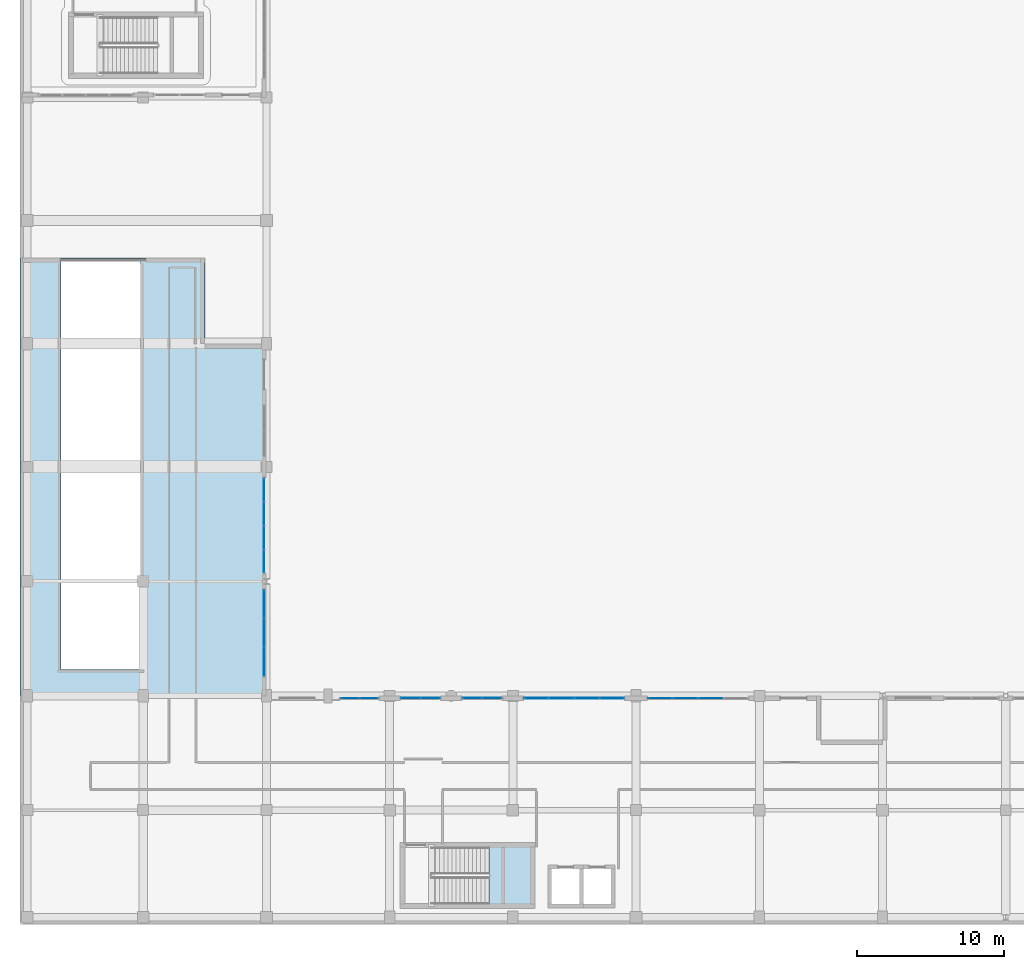
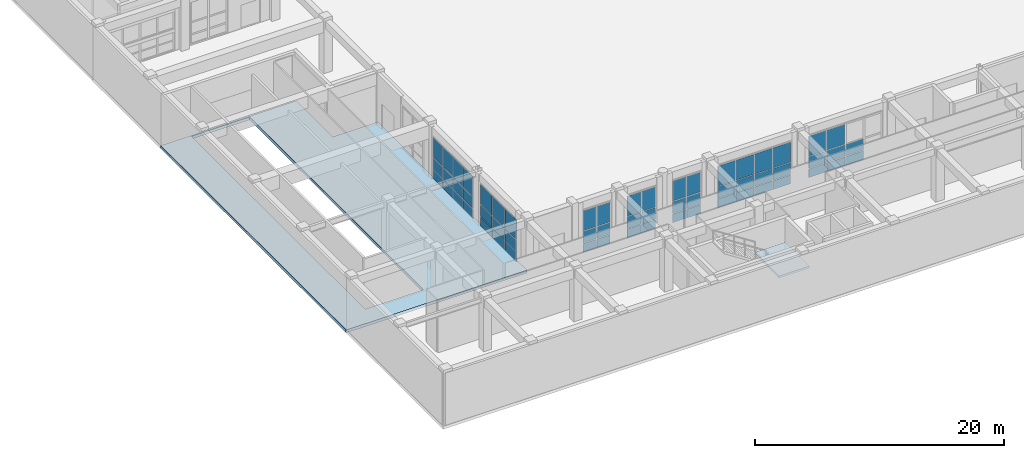
# One storey, part 109 of 148: 59 plates, 2 slabs, 8 elements without a shape of their own.
"""IFC4 building model written with IfcOpenShell, lengths in metres."""

from ifc_helpers import new_model, si_unit, direction, frame, origin, origin_2d, place, context, subcontext, project, spatial, polyline, rectangle, outline, extrude, material, layer, layer_set, type_object, element, aggregate, save


model = new_model("IFC4")

# Units and contexts
model_context = context("Model", 3, precision=1e-05, world=origin(), true_north=direction((0.0, 1.0)))
body_context = subcontext(model_context, "Body", "Model", "MODEL_VIEW")
ifc_project = project(units=[si_unit("LENGTHUNIT", "METRE"), si_unit("AREAUNIT", "SQUARE_METRE"), si_unit("VOLUMEUNIT", "CUBIC_METRE"), si_unit("PLANEANGLEUNIT", "RADIAN"), si_unit("MASSUNIT", "GRAM", prefix="KILO")], contexts=[model_context])

# Site, building, storey
site_placement = place(None, origin())
site = spatial("IfcSite", under=ifc_project, at=site_placement, CompositionType="ELEMENT")
building_placement = place(site_placement, origin())
building = spatial("IfcBuilding", under=site, at=building_placement, Name="Quendrovan Civic Courthouse", CompositionType="ELEMENT")
storey_placement = place(building_placement, origin())
storey = spatial("IfcBuildingStorey", under=building, at=storey_placement, Name="L01", CompositionType="ELEMENT", Elevation=0.0)

# Curtain wall, plates
ifc_material_1 = material(Name="Bronze anodised aluminium and low-E glass", Category="aluminium")
ifc_layer_1 = layer(ifc_material_1, 0.179931640625, Name="Bronze anodised aluminium and low-E glass")
ifc_layer_set_1 = layer_set([ifc_layer_1], Name="Bronze anodised aluminium and low-E glass")
curtain_wall_type_1 = type_object("IfcCurtainWallType", Name="CW-U26x42", PredefinedType="USERDEFINED", material=ifc_layer_set_1)
curtain_wall_1_placement = place(storey_placement, origin())
curtain_wall_1 = element("IfcCurtainWall", 1, at=curtain_wall_1_placement, inside=storey, type_object=curtain_wall_type_1, Name="L01 Unitised Hurricane Curtain Wall CW-004", ObjectType="UNITISED CURTAIN WALL", PredefinedType="USERDEFINED")
ifc_material_2 = material(Name="Laminated hurricane-impact low-E glass", Category="glass")
ifc_layer_2 = layer(ifc_material_2, 0.028076171875, Name="Laminated hurricane-impact low-E glass")
ifc_layer_set_2 = layer_set([ifc_layer_2], Name="Laminated hurricane-impact low-E glass")
plate_type_1 = type_object("IfcPlateType", Name="CW-PNL-1", PredefinedType="CURTAIN_PANEL", material=ifc_layer_set_2)
plate_1_placement = place(storey_placement, frame((22.5048828125, 15.43505859375, 0.06982421875), z_axis=(0.0, 0.0, 1.0), x_axis=(1.0, 0.0, 0.0)))
plate_1 = element("IfcPlate", 2, at=plate_1_placement, type_object=plate_type_1, Name="CW-004 panel 1.1", PredefinedType="CURTAIN_PANEL", context=body_context, shape_type="SweptSolid", body=[
    extrude(rectangle(XDim=1.219970703125, YDim=0.028076171875, at=origin_2d()), origin(), (0.0, 0.0, 1.0), 0.844970703125),
])
plate_2_placement = place(storey_placement, frame((22.5048828125, 15.43505859375, 0.985107421875), z_axis=(0.0, 0.0, 1.0), x_axis=(1.0, 0.0, 0.0)))
plate_2 = element("IfcPlate", 3, at=plate_2_placement, type_object=plate_type_1, Name="CW-004 panel 1.2", PredefinedType="CURTAIN_PANEL", context=body_context, shape_type="SweptSolid", body=[
    extrude(rectangle(XDim=1.219970703125, YDim=0.028076171875, at=origin_2d()), origin(), (0.0, 0.0, 1.0), 1.1298828125),
])
plate_3_placement = place(storey_placement, frame((22.5048828125, 15.43505859375, 2.18505859375), z_axis=(0.0, 0.0, 1.0), x_axis=(1.0, 0.0, 0.0)))
plate_3 = element("IfcPlate", 4, at=plate_3_placement, type_object=plate_type_1, Name="CW-004 panel 1.3", PredefinedType="CURTAIN_PANEL", context=body_context, shape_type="SweptSolid", body=[
    extrude(rectangle(XDim=1.219970703125, YDim=0.028076171875, at=origin_2d()), origin(), (0.0, 0.0, 1.0), 1.945068359375),
])
plate_4_placement = place(storey_placement, frame((23.794921875, 15.43505859375, 0.06982421875), z_axis=(0.0, 0.0, 1.0), x_axis=(1.0, 0.0, 0.0)))
plate_4 = element("IfcPlate", 5, at=plate_4_placement, type_object=plate_type_1, Name="CW-004 panel 2.1", PredefinedType="CURTAIN_PANEL", context=body_context, shape_type="SweptSolid", body=[
    extrude(rectangle(XDim=1.219970703125, YDim=0.028076171875, at=origin_2d()), origin(), (0.0, 0.0, 1.0), 0.844970703125),
])
plate_5_placement = place(storey_placement, frame((23.794921875, 15.43505859375, 0.985107421875), z_axis=(0.0, 0.0, 1.0), x_axis=(1.0, 0.0, 0.0)))
plate_5 = element("IfcPlate", 6, at=plate_5_placement, type_object=plate_type_1, Name="CW-004 panel 2.2", PredefinedType="CURTAIN_PANEL", context=body_context, shape_type="SweptSolid", body=[
    extrude(rectangle(XDim=1.219970703125, YDim=0.028076171875, at=origin_2d()), origin(), (0.0, 0.0, 1.0), 1.1298828125),
])
plate_6_placement = place(storey_placement, frame((23.794921875, 15.43505859375, 2.18505859375), z_axis=(0.0, 0.0, 1.0), x_axis=(1.0, 0.0, 0.0)))
plate_6 = element("IfcPlate", 7, at=plate_6_placement, type_object=plate_type_1, Name="CW-004 panel 2.3", PredefinedType="CURTAIN_PANEL", context=body_context, shape_type="SweptSolid", body=[
    extrude(rectangle(XDim=1.219970703125, YDim=0.028076171875, at=origin_2d()), origin(), (0.0, 0.0, 1.0), 1.945068359375),
])
aggregate(curtain_wall_1, [plate_1, plate_2, plate_3, plate_4, plate_5, plate_6])

ifc_layer_3 = layer(ifc_material_1, 0.179931640625, Name="Bronze anodised aluminium and low-E glass")
ifc_layer_set_3 = layer_set([ifc_layer_3], Name="Bronze anodised aluminium and low-E glass")
curtain_wall_type_2 = type_object("IfcCurtainWallType", Name="CW-U69x42", PredefinedType="USERDEFINED", material=ifc_layer_set_3)
curtain_wall_2_placement = place(storey_placement, origin())
curtain_wall_2 = element("IfcCurtainWall", 8, at=curtain_wall_2_placement, inside=storey, type_object=curtain_wall_type_2, Name="L01 Unitised Hurricane Curtain Wall CW-008", ObjectType="UNITISED CURTAIN WALL", PredefinedType="USERDEFINED")
plate_7_placement = place(storey_placement, frame((43.655029296875, 15.43505859375, 0.06982421875), z_axis=(0.0, 0.0, 1.0), x_axis=(1.0, 0.0, 0.0)))
plate_7 = element("IfcPlate", 9, at=plate_7_placement, type_object=plate_type_1, Name="CW-008 panel 1.1", PredefinedType="CURTAIN_PANEL", context=body_context, shape_type="SweptSolid", body=[
    extrude(rectangle(XDim=1.6201171875, YDim=0.028076171875, at=origin_2d()), origin(), (0.0, 0.0, 1.0), 0.844970703125),
])
plate_8_placement = place(storey_placement, frame((43.655029296875, 15.43505859375, 0.985107421875), z_axis=(0.0, 0.0, 1.0), x_axis=(1.0, 0.0, 0.0)))
plate_8 = element("IfcPlate", 10, at=plate_8_placement, type_object=plate_type_1, Name="CW-008 panel 1.2", PredefinedType="CURTAIN_PANEL", context=body_context, shape_type="SweptSolid", body=[
    extrude(rectangle(XDim=1.6201171875, YDim=0.028076171875, at=origin_2d()), origin(), (0.0, 0.0, 1.0), 1.1298828125),
])
plate_9_placement = place(storey_placement, frame((43.655029296875, 15.43505859375, 2.18505859375), z_axis=(0.0, 0.0, 1.0), x_axis=(1.0, 0.0, 0.0)))
plate_9 = element("IfcPlate", 11, at=plate_9_placement, type_object=plate_type_1, Name="CW-008 panel 1.3", PredefinedType="CURTAIN_PANEL", context=body_context, shape_type="SweptSolid", body=[
    extrude(rectangle(XDim=1.6201171875, YDim=0.028076171875, at=origin_2d()), origin(), (0.0, 0.0, 1.0), 1.945068359375),
])
plate_10_placement = place(storey_placement, frame((45.362548828125, 15.43505859375, 0.06982421875), z_axis=(0.0, 0.0, 1.0), x_axis=(1.0, 0.0, 0.0)))
plate_10 = element("IfcPlate", 12, at=plate_10_placement, type_object=plate_type_1, Name="CW-008 panel 2.1", PredefinedType="CURTAIN_PANEL", context=body_context, shape_type="SweptSolid", body=[
    extrude(rectangle(XDim=1.655029296875, YDim=0.028076171875, at=origin_2d()), origin(), (0.0, 0.0, 1.0), 0.844970703125),
])
plate_11_placement = place(storey_placement, frame((45.362548828125, 15.43505859375, 0.985107421875), z_axis=(0.0, 0.0, 1.0), x_axis=(1.0, 0.0, 0.0)))
plate_11 = element("IfcPlate", 13, at=plate_11_placement, type_object=plate_type_1, Name="CW-008 panel 2.2", PredefinedType="CURTAIN_PANEL", context=body_context, shape_type="SweptSolid", body=[
    extrude(rectangle(XDim=1.655029296875, YDim=0.028076171875, at=origin_2d()), origin(), (0.0, 0.0, 1.0), 1.1298828125),
])
plate_12_placement = place(storey_placement, frame((45.362548828125, 15.43505859375, 2.18505859375), z_axis=(0.0, 0.0, 1.0), x_axis=(1.0, 0.0, 0.0)))
plate_12 = element("IfcPlate", 14, at=plate_12_placement, type_object=plate_type_1, Name="CW-008 panel 2.3", PredefinedType="CURTAIN_PANEL", context=body_context, shape_type="SweptSolid", body=[
    extrude(rectangle(XDim=1.655029296875, YDim=0.028076171875, at=origin_2d()), origin(), (0.0, 0.0, 1.0), 1.945068359375),
])
plate_13_placement = place(storey_placement, frame((47.08740234375, 15.43505859375, 0.06982421875), z_axis=(0.0, 0.0, 1.0), x_axis=(1.0, 0.0, 0.0)))
plate_13 = element("IfcPlate", 15, at=plate_13_placement, type_object=plate_type_1, Name="CW-008 panel 3.1", PredefinedType="CURTAIN_PANEL", context=body_context, shape_type="SweptSolid", body=[
    extrude(rectangle(XDim=1.655029296875, YDim=0.028076171875, at=origin_2d()), origin(), (0.0, 0.0, 1.0), 0.844970703125),
])
plate_14_placement = place(storey_placement, frame((47.08740234375, 15.43505859375, 0.985107421875), z_axis=(0.0, 0.0, 1.0), x_axis=(1.0, 0.0, 0.0)))
plate_14 = element("IfcPlate", 16, at=plate_14_placement, type_object=plate_type_1, Name="CW-008 panel 3.2", PredefinedType="CURTAIN_PANEL", context=body_context, shape_type="SweptSolid", body=[
    extrude(rectangle(XDim=1.655029296875, YDim=0.028076171875, at=origin_2d()), origin(), (0.0, 0.0, 1.0), 1.1298828125),
])
aggregate(curtain_wall_2, [plate_7, plate_8, plate_9, plate_10, plate_11, plate_12, plate_13, plate_14])

ifc_layer_4 = layer(ifc_material_1, 0.179931640625, Name="Bronze anodised aluminium and low-E glass")
ifc_layer_set_4 = layer_set([ifc_layer_4], Name="Bronze anodised aluminium and low-E glass")
curtain_wall_type_3 = type_object("IfcCurtainWallType", Name="CW-U28x42", PredefinedType="USERDEFINED", material=ifc_layer_set_4)
curtain_wall_3_placement = place(storey_placement, origin())
curtain_wall_3 = element("IfcCurtainWall", 17, at=curtain_wall_3_placement, inside=storey, type_object=curtain_wall_type_3, Name="L01 Unitised Hurricane Curtain Wall CW-005", ObjectType="UNITISED CURTAIN WALL", PredefinedType="USERDEFINED")
ifc_layer_5 = layer(ifc_material_2, 0.031982421875, Name="Laminated hurricane-impact low-E glass")
ifc_layer_set_5 = layer_set([ifc_layer_5], Name="Laminated hurricane-impact low-E glass")
plate_type_2 = type_object("IfcPlateType", Name="CW-PNL-2", PredefinedType="CURTAIN_PANEL", material=ifc_layer_set_5)
plate_15_placement = place(storey_placement, frame((26.628662109375, 15.43505859375, 0.06494140625), z_axis=(0.0, 0.0, 1.0), x_axis=(1.0, 0.0, 0.0)))
plate_15 = element("IfcPlate", 18, at=plate_15_placement, type_object=plate_type_2, Name="CW-005 panel 1.1", PredefinedType="CURTAIN_PANEL", context=body_context, shape_type="SweptSolid", body=[
    extrude(rectangle(XDim=1.277587890625, YDim=0.031982421875, at=origin_2d()), origin(), (0.0, 0.0, 1.0), 0.8525390625),
])
plate_16_placement = place(storey_placement, frame((26.628662109375, 15.43505859375, 0.982421875), z_axis=(0.0, 0.0, 1.0), x_axis=(1.0, 0.0, 0.0)))
plate_16 = element("IfcPlate", 19, at=plate_16_placement, type_object=plate_type_2, Name="CW-005 panel 1.2", PredefinedType="CURTAIN_PANEL", context=body_context, shape_type="SweptSolid", body=[
    extrude(rectangle(XDim=1.277587890625, YDim=0.031982421875, at=origin_2d()), origin(), (0.0, 0.0, 1.0), 1.135009765625),
])
plate_17_placement = place(storey_placement, frame((26.628662109375, 15.43505859375, 2.1826171875), z_axis=(0.0, 0.0, 1.0), x_axis=(1.0, 0.0, 0.0)))
plate_17 = element("IfcPlate", 20, at=plate_17_placement, type_object=plate_type_2, Name="CW-005 panel 1.3", PredefinedType="CURTAIN_PANEL", context=body_context, shape_type="SweptSolid", body=[
    extrude(rectangle(XDim=1.277587890625, YDim=0.031982421875, at=origin_2d()), origin(), (0.0, 0.0, 1.0), 1.952392578125),
])
plate_18_placement = place(storey_placement, frame((27.97119140625, 15.43505859375, 0.06494140625), z_axis=(0.0, 0.0, 1.0), x_axis=(1.0, 0.0, 0.0)))
plate_18 = element("IfcPlate", 21, at=plate_18_placement, type_object=plate_type_2, Name="CW-005 panel 2.1", PredefinedType="CURTAIN_PANEL", context=body_context, shape_type="SweptSolid", body=[
    extrude(rectangle(XDim=1.277587890625, YDim=0.031982421875, at=origin_2d()), origin(), (0.0, 0.0, 1.0), 0.8525390625),
])
plate_19_placement = place(storey_placement, frame((27.97119140625, 15.43505859375, 0.982421875), z_axis=(0.0, 0.0, 1.0), x_axis=(1.0, 0.0, 0.0)))
plate_19 = element("IfcPlate", 22, at=plate_19_placement, type_object=plate_type_2, Name="CW-005 panel 2.2", PredefinedType="CURTAIN_PANEL", context=body_context, shape_type="SweptSolid", body=[
    extrude(rectangle(XDim=1.277587890625, YDim=0.031982421875, at=origin_2d()), origin(), (0.0, 0.0, 1.0), 1.135009765625),
])
plate_20_placement = place(storey_placement, frame((27.97119140625, 15.43505859375, 2.1826171875), z_axis=(0.0, 0.0, 1.0), x_axis=(1.0, 0.0, 0.0)))
plate_20 = element("IfcPlate", 23, at=plate_20_placement, type_object=plate_type_2, Name="CW-005 panel 2.3", PredefinedType="CURTAIN_PANEL", context=body_context, shape_type="SweptSolid", body=[
    extrude(rectangle(XDim=1.277587890625, YDim=0.031982421875, at=origin_2d()), origin(), (0.0, 0.0, 1.0), 1.952392578125),
])
aggregate(curtain_wall_3, [plate_15, plate_16, plate_17, plate_18, plate_19, plate_20])

ifc_layer_6 = layer(ifc_material_1, 0.179931640625, Name="Bronze anodised aluminium and low-E glass")
ifc_layer_set_6 = layer_set([ifc_layer_6], Name="Bronze anodised aluminium and low-E glass")
curtain_wall_type_4 = type_object("IfcCurtainWallType", Name="CW-U65x42", PredefinedType="USERDEFINED", material=ifc_layer_set_6)
curtain_wall_4_placement = place(storey_placement, origin())
curtain_wall_4 = element("IfcCurtainWall", 24, at=curtain_wall_4_placement, inside=storey, type_object=curtain_wall_type_4, Name="L01 Unitised Hurricane Curtain Wall CW-002", ObjectType="UNITISED CURTAIN WALL", PredefinedType="USERDEFINED")
ifc_layer_7 = layer(ifc_material_2, 0.035888671875, Name="Laminated hurricane-impact low-E glass")
ifc_layer_set_7 = layer_set([ifc_layer_7], Name="Laminated hurricane-impact low-E glass")
plate_type_3 = type_object("IfcPlateType", Name="CW-PNL-3", PredefinedType="CURTAIN_PANEL", material=ifc_layer_set_7)
plate_21_placement = place(storey_placement, frame((16.635009765625, 29.64013671875, 0.06982421875), z_axis=(0.0, 0.0, 1.0), x_axis=(0.0, -1.0, 0.0)))
plate_21 = element("IfcPlate", 25, at=plate_21_placement, type_object=plate_type_3, Name="CW-002 panel 1.1", PredefinedType="CURTAIN_PANEL", context=body_context, shape_type="SweptSolid", body=[
    extrude(rectangle(XDim=1.529541015625, YDim=0.035888671875, at=origin_2d()), origin(), (0.0, 0.0, 1.0), 0.844970703125),
])
plate_22_placement = place(storey_placement, frame((16.635009765625, 29.64013671875, 0.985107421875), z_axis=(0.0, 0.0, 1.0), x_axis=(0.0, -1.0, 0.0)))
plate_22 = element("IfcPlate", 26, at=plate_22_placement, type_object=plate_type_3, Name="CW-002 panel 1.2", PredefinedType="CURTAIN_PANEL", context=body_context, shape_type="SweptSolid", body=[
    extrude(rectangle(XDim=1.529541015625, YDim=0.035888671875, at=origin_2d()), origin(), (0.0, 0.0, 1.0), 1.1298828125),
])
plate_23_placement = place(storey_placement, frame((16.635009765625, 29.64013671875, 2.18505859375), z_axis=(0.0, 0.0, 1.0), x_axis=(0.0, -1.0, 0.0)))
plate_23 = element("IfcPlate", 27, at=plate_23_placement, type_object=plate_type_3, Name="CW-002 panel 1.3", PredefinedType="CURTAIN_PANEL", context=body_context, shape_type="SweptSolid", body=[
    extrude(rectangle(XDim=1.529541015625, YDim=0.035888671875, at=origin_2d()), origin(), (0.0, 0.0, 1.0), 1.945068359375),
])
plate_24_placement = place(storey_placement, frame((16.635009765625, 28.023193359375, 0.06982421875), z_axis=(0.0, 0.0, 1.0), x_axis=(0.0, -1.0, 0.0)))
plate_24 = element("IfcPlate", 28, at=plate_24_placement, type_object=plate_type_3, Name="CW-002 panel 2.1", PredefinedType="CURTAIN_PANEL", context=body_context, shape_type="SweptSolid", body=[
    extrude(rectangle(XDim=1.564453125, YDim=0.035888671875, at=origin_2d()), origin(), (0.0, 0.0, 1.0), 0.844970703125),
])
plate_25_placement = place(storey_placement, frame((16.635009765625, 28.023193359375, 0.985107421875), z_axis=(0.0, 0.0, 1.0), x_axis=(0.0, -1.0, 0.0)))
plate_25 = element("IfcPlate", 29, at=plate_25_placement, type_object=plate_type_3, Name="CW-002 panel 2.2", PredefinedType="CURTAIN_PANEL", context=body_context, shape_type="SweptSolid", body=[
    extrude(rectangle(XDim=1.564453125, YDim=0.035888671875, at=origin_2d()), origin(), (0.0, 0.0, 1.0), 1.1298828125),
])
plate_26_placement = place(storey_placement, frame((16.635009765625, 28.023193359375, 2.18505859375), z_axis=(0.0, 0.0, 1.0), x_axis=(0.0, -1.0, 0.0)))
plate_26 = element("IfcPlate", 30, at=plate_26_placement, type_object=plate_type_3, Name="CW-002 panel 2.3", PredefinedType="CURTAIN_PANEL", context=body_context, shape_type="SweptSolid", body=[
    extrude(rectangle(XDim=1.564453125, YDim=0.035888671875, at=origin_2d()), origin(), (0.0, 0.0, 1.0), 1.945068359375),
])
plate_27_placement = place(storey_placement, frame((16.635009765625, 26.388671875, 0.06982421875), z_axis=(0.0, 0.0, 1.0), x_axis=(0.0, -1.0, 0.0)))
plate_27 = element("IfcPlate", 31, at=plate_27_placement, type_object=plate_type_3, Name="CW-002 panel 3.1", PredefinedType="CURTAIN_PANEL", context=body_context, shape_type="SweptSolid", body=[
    extrude(rectangle(XDim=1.564453125, YDim=0.035888671875, at=origin_2d()), origin(), (0.0, 0.0, 1.0), 0.844970703125),
])
plate_28_placement = place(storey_placement, frame((16.635009765625, 26.388671875, 0.985107421875), z_axis=(0.0, 0.0, 1.0), x_axis=(0.0, -1.0, 0.0)))
plate_28 = element("IfcPlate", 32, at=plate_28_placement, type_object=plate_type_3, Name="CW-002 panel 3.2", PredefinedType="CURTAIN_PANEL", context=body_context, shape_type="SweptSolid", body=[
    extrude(rectangle(XDim=1.564453125, YDim=0.035888671875, at=origin_2d()), origin(), (0.0, 0.0, 1.0), 1.1298828125),
])
plate_29_placement = place(storey_placement, frame((16.635009765625, 26.388671875, 2.18505859375), z_axis=(0.0, 0.0, 1.0), x_axis=(0.0, -1.0, 0.0)))
plate_29 = element("IfcPlate", 33, at=plate_29_placement, type_object=plate_type_3, Name="CW-002 panel 3.3", PredefinedType="CURTAIN_PANEL", context=body_context, shape_type="SweptSolid", body=[
    extrude(rectangle(XDim=1.564453125, YDim=0.035888671875, at=origin_2d()), origin(), (0.0, 0.0, 1.0), 1.945068359375),
])
plate_30_placement = place(storey_placement, frame((16.635009765625, 24.771728515625, 0.06982421875), z_axis=(0.0, 0.0, 1.0), x_axis=(0.0, -1.0, 0.0)))
plate_30 = element("IfcPlate", 34, at=plate_30_placement, type_object=plate_type_3, Name="CW-002 panel 4.1", PredefinedType="CURTAIN_PANEL", context=body_context, shape_type="SweptSolid", body=[
    extrude(rectangle(XDim=1.529541015625, YDim=0.035888671875, at=origin_2d()), origin(), (0.0, 0.0, 1.0), 0.844970703125),
])
plate_31_placement = place(storey_placement, frame((16.635009765625, 24.771728515625, 0.985107421875), z_axis=(0.0, 0.0, 1.0), x_axis=(0.0, -1.0, 0.0)))
plate_31 = element("IfcPlate", 35, at=plate_31_placement, type_object=plate_type_3, Name="CW-002 panel 4.2", PredefinedType="CURTAIN_PANEL", context=body_context, shape_type="SweptSolid", body=[
    extrude(rectangle(XDim=1.529541015625, YDim=0.035888671875, at=origin_2d()), origin(), (0.0, 0.0, 1.0), 1.1298828125),
])
plate_32_placement = place(storey_placement, frame((16.635009765625, 24.771728515625, 2.18505859375), z_axis=(0.0, 0.0, 1.0), x_axis=(0.0, -1.0, 0.0)))
plate_32 = element("IfcPlate", 36, at=plate_32_placement, type_object=plate_type_3, Name="CW-002 panel 4.3", PredefinedType="CURTAIN_PANEL", context=body_context, shape_type="SweptSolid", body=[
    extrude(rectangle(XDim=1.529541015625, YDim=0.035888671875, at=origin_2d()), origin(), (0.0, 0.0, 1.0), 1.945068359375),
])
aggregate(curtain_wall_4, [plate_21, plate_22, plate_23, plate_24, plate_25, plate_26, plate_27, plate_28, plate_29, plate_30, plate_31, plate_32])

curtain_wall_5_placement = place(storey_placement, origin())
curtain_wall_5 = element("IfcCurtainWall", 37, at=curtain_wall_5_placement, inside=storey, type_object=curtain_wall_type_3, Name="L01 Unitised Hurricane Curtain Wall CW-006", ObjectType="UNITISED CURTAIN WALL", PredefinedType="USERDEFINED")
plate_33_placement = place(storey_placement, frame((30.830078125, 15.43505859375, 0.06982421875), z_axis=(0.0, 0.0, 1.0), x_axis=(1.0, 0.0, 0.0)))
plate_33 = element("IfcPlate", 38, at=plate_33_placement, type_object=plate_type_3, Name="CW-006 panel 1.1", PredefinedType="CURTAIN_PANEL", context=body_context, shape_type="SweptSolid", body=[
    extrude(rectangle(XDim=1.27001953125, YDim=0.035888671875, at=origin_2d()), origin(), (0.0, 0.0, 1.0), 0.844970703125),
])
plate_34_placement = place(storey_placement, frame((30.830078125, 15.43505859375, 0.985107421875), z_axis=(0.0, 0.0, 1.0), x_axis=(1.0, 0.0, 0.0)))
plate_34 = element("IfcPlate", 39, at=plate_34_placement, type_object=plate_type_3, Name="CW-006 panel 1.2", PredefinedType="CURTAIN_PANEL", context=body_context, shape_type="SweptSolid", body=[
    extrude(rectangle(XDim=1.27001953125, YDim=0.035888671875, at=origin_2d()), origin(), (0.0, 0.0, 1.0), 1.1298828125),
])
plate_35_placement = place(storey_placement, frame((30.830078125, 15.43505859375, 2.18505859375), z_axis=(0.0, 0.0, 1.0), x_axis=(1.0, 0.0, 0.0)))
plate_35 = element("IfcPlate", 40, at=plate_35_placement, type_object=plate_type_3, Name="CW-006 panel 1.3", PredefinedType="CURTAIN_PANEL", context=body_context, shape_type="SweptSolid", body=[
    extrude(rectangle(XDim=1.27001953125, YDim=0.035888671875, at=origin_2d()), origin(), (0.0, 0.0, 1.0), 1.945068359375),
])
plate_36_placement = place(storey_placement, frame((32.169921875, 15.43505859375, 0.06982421875), z_axis=(0.0, 0.0, 1.0), x_axis=(1.0, 0.0, 0.0)))
plate_36 = element("IfcPlate", 41, at=plate_36_placement, type_object=plate_type_3, Name="CW-006 panel 2.1", PredefinedType="CURTAIN_PANEL", context=body_context, shape_type="SweptSolid", body=[
    extrude(rectangle(XDim=1.27001953125, YDim=0.035888671875, at=origin_2d()), origin(), (0.0, 0.0, 1.0), 0.844970703125),
])
plate_37_placement = place(storey_placement, frame((32.169921875, 15.43505859375, 0.985107421875), z_axis=(0.0, 0.0, 1.0), x_axis=(1.0, 0.0, 0.0)))
plate_37 = element("IfcPlate", 42, at=plate_37_placement, type_object=plate_type_3, Name="CW-006 panel 2.2", PredefinedType="CURTAIN_PANEL", context=body_context, shape_type="SweptSolid", body=[
    extrude(rectangle(XDim=1.27001953125, YDim=0.035888671875, at=origin_2d()), origin(), (0.0, 0.0, 1.0), 1.1298828125),
])
plate_38_placement = place(storey_placement, frame((32.169921875, 15.43505859375, 2.18505859375), z_axis=(0.0, 0.0, 1.0), x_axis=(1.0, 0.0, 0.0)))
plate_38 = element("IfcPlate", 43, at=plate_38_placement, type_object=plate_type_3, Name="CW-006 panel 2.3", PredefinedType="CURTAIN_PANEL", context=body_context, shape_type="SweptSolid", body=[
    extrude(rectangle(XDim=1.27001953125, YDim=0.035888671875, at=origin_2d()), origin(), (0.0, 0.0, 1.0), 1.945068359375),
])
aggregate(curtain_wall_5, [plate_33, plate_34, plate_35, plate_36, plate_37, plate_38])

ifc_layer_8 = layer(ifc_material_1, 0.179931640625, Name="Bronze anodised aluminium and low-E glass")
ifc_layer_set_8 = layer_set([ifc_layer_8], Name="Bronze anodised aluminium and low-E glass")
curtain_wall_type_5 = type_object("IfcCurtainWallType", Name="CW-U60x42", PredefinedType="USERDEFINED", material=ifc_layer_set_8)
curtain_wall_6_placement = place(storey_placement, origin())
curtain_wall_6 = element("IfcCurtainWall", 44, at=curtain_wall_6_placement, inside=storey, type_object=curtain_wall_type_5, Name="L01 Unitised Hurricane Curtain Wall CW-003", ObjectType="UNITISED CURTAIN WALL", PredefinedType="USERDEFINED")
ifc_layer_9 = layer(ifc_material_2, 0.0419921875, Name="Laminated hurricane-impact low-E glass")
ifc_layer_set_9 = layer_set([ifc_layer_9], Name="Laminated hurricane-impact low-E glass")
plate_type_4 = type_object("IfcPlateType", Name="CW-PNL-4", PredefinedType="CURTAIN_PANEL", material=ifc_layer_set_9)
plate_39_placement = place(storey_placement, frame((16.635009765625, 21.85302734375, 0.06494140625), z_axis=(0.0, 0.0, 1.0), x_axis=(0.0, -1.0, 0.0)))
plate_39 = element("IfcPlate", 45, at=plate_39_placement, type_object=plate_type_4, Name="CW-003 panel 1.1", PredefinedType="CURTAIN_PANEL", context=body_context, shape_type="SweptSolid", body=[
    extrude(rectangle(XDim=1.89013671875, YDim=0.0419921875, at=origin_2d()), origin(), (0.0, 0.0, 1.0), 0.8525390625),
])
plate_40_placement = place(storey_placement, frame((16.635009765625, 21.85302734375, 0.982421875), z_axis=(0.0, 0.0, 1.0), x_axis=(0.0, -1.0, 0.0)))
plate_40 = element("IfcPlate", 46, at=plate_40_placement, type_object=plate_type_4, Name="CW-003 panel 1.2", PredefinedType="CURTAIN_PANEL", context=body_context, shape_type="SweptSolid", body=[
    extrude(rectangle(XDim=1.89013671875, YDim=0.0419921875, at=origin_2d()), origin(), (0.0, 0.0, 1.0), 1.135009765625),
])
plate_41_placement = place(storey_placement, frame((16.635009765625, 21.85302734375, 2.1826171875), z_axis=(0.0, 0.0, 1.0), x_axis=(0.0, -1.0, 0.0)))
plate_41 = element("IfcPlate", 47, at=plate_41_placement, type_object=plate_type_4, Name="CW-003 panel 1.3", PredefinedType="CURTAIN_PANEL", context=body_context, shape_type="SweptSolid", body=[
    extrude(rectangle(XDim=1.89013671875, YDim=0.0419921875, at=origin_2d()), origin(), (0.0, 0.0, 1.0), 1.952392578125),
])
plate_42_placement = place(storey_placement, frame((16.635009765625, 19.881591796875, 0.06494140625), z_axis=(0.0, 0.0, 1.0), x_axis=(0.0, -1.0, 0.0)))
plate_42 = element("IfcPlate", 48, at=plate_42_placement, type_object=plate_type_4, Name="CW-003 panel 2.1", PredefinedType="CURTAIN_PANEL", context=body_context, shape_type="SweptSolid", body=[
    extrude(rectangle(XDim=1.922607421875, YDim=0.0419921875, at=origin_2d()), origin(), (0.0, 0.0, 1.0), 0.8525390625),
])
plate_43_placement = place(storey_placement, frame((16.635009765625, 19.881591796875, 0.982421875), z_axis=(0.0, 0.0, 1.0), x_axis=(0.0, -1.0, 0.0)))
plate_43 = element("IfcPlate", 49, at=plate_43_placement, type_object=plate_type_4, Name="CW-003 panel 2.2", PredefinedType="CURTAIN_PANEL", context=body_context, shape_type="SweptSolid", body=[
    extrude(rectangle(XDim=1.922607421875, YDim=0.0419921875, at=origin_2d()), origin(), (0.0, 0.0, 1.0), 1.135009765625),
])
plate_44_placement = place(storey_placement, frame((16.635009765625, 19.881591796875, 2.1826171875), z_axis=(0.0, 0.0, 1.0), x_axis=(0.0, -1.0, 0.0)))
plate_44 = element("IfcPlate", 50, at=plate_44_placement, type_object=plate_type_4, Name="CW-003 panel 2.3", PredefinedType="CURTAIN_PANEL", context=body_context, shape_type="SweptSolid", body=[
    extrude(rectangle(XDim=1.922607421875, YDim=0.0419921875, at=origin_2d()), origin(), (0.0, 0.0, 1.0), 1.952392578125),
])
plate_45_placement = place(storey_placement, frame((16.635009765625, 17.91015625, 0.06494140625), z_axis=(0.0, 0.0, 1.0), x_axis=(0.0, -1.0, 0.0)))
plate_45 = element("IfcPlate", 51, at=plate_45_placement, type_object=plate_type_4, Name="CW-003 panel 3.1", PredefinedType="CURTAIN_PANEL", context=body_context, shape_type="SweptSolid", body=[
    extrude(rectangle(XDim=1.89013671875, YDim=0.0419921875, at=origin_2d()), origin(), (0.0, 0.0, 1.0), 0.8525390625),
])
plate_46_placement = place(storey_placement, frame((16.635009765625, 17.91015625, 0.982421875), z_axis=(0.0, 0.0, 1.0), x_axis=(0.0, -1.0, 0.0)))
plate_46 = element("IfcPlate", 52, at=plate_46_placement, type_object=plate_type_4, Name="CW-003 panel 3.2", PredefinedType="CURTAIN_PANEL", context=body_context, shape_type="SweptSolid", body=[
    extrude(rectangle(XDim=1.89013671875, YDim=0.0419921875, at=origin_2d()), origin(), (0.0, 0.0, 1.0), 1.135009765625),
])
plate_47_placement = place(storey_placement, frame((16.635009765625, 17.91015625, 2.1826171875), z_axis=(0.0, 0.0, 1.0), x_axis=(0.0, -1.0, 0.0)))
plate_47 = element("IfcPlate", 53, at=plate_47_placement, type_object=plate_type_4, Name="CW-003 panel 3.3", PredefinedType="CURTAIN_PANEL", context=body_context, shape_type="SweptSolid", body=[
    extrude(rectangle(XDim=1.89013671875, YDim=0.0419921875, at=origin_2d()), origin(), (0.0, 0.0, 1.0), 1.952392578125),
])
aggregate(curtain_wall_6, [plate_39, plate_40, plate_41, plate_42, plate_43, plate_44, plate_45, plate_46, plate_47])

curtain_wall_7_placement = place(storey_placement, origin())
curtain_wall_7 = element("IfcCurtainWall", 54, at=curtain_wall_7_placement, inside=storey, type_object=curtain_wall_type_2, Name="L01 Unitised Hurricane Curtain Wall CW-007", ObjectType="UNITISED CURTAIN WALL", PredefinedType="USERDEFINED")
plate_48_placement = place(storey_placement, frame((35.203857421875, 15.43505859375, 0.06494140625), z_axis=(0.0, 0.0, 1.0), x_axis=(1.0, 0.0, 0.0)))
plate_48 = element("IfcPlate", 55, at=plate_48_placement, type_object=plate_type_4, Name="CW-007 panel 1.1", PredefinedType="CURTAIN_PANEL", context=body_context, shape_type="SweptSolid", body=[
    extrude(rectangle(XDim=1.62744140625, YDim=0.0419921875, at=origin_2d()), origin(), (0.0, 0.0, 1.0), 0.8525390625),
])
plate_49_placement = place(storey_placement, frame((35.203857421875, 15.43505859375, 0.982421875), z_axis=(0.0, 0.0, 1.0), x_axis=(1.0, 0.0, 0.0)))
plate_49 = element("IfcPlate", 56, at=plate_49_placement, type_object=plate_type_4, Name="CW-007 panel 1.2", PredefinedType="CURTAIN_PANEL", context=body_context, shape_type="SweptSolid", body=[
    extrude(rectangle(XDim=1.62744140625, YDim=0.0419921875, at=origin_2d()), origin(), (0.0, 0.0, 1.0), 1.135009765625),
])
plate_50_placement = place(storey_placement, frame((35.203857421875, 15.43505859375, 2.1826171875), z_axis=(0.0, 0.0, 1.0), x_axis=(1.0, 0.0, 0.0)))
plate_50 = element("IfcPlate", 57, at=plate_50_placement, type_object=plate_type_4, Name="CW-007 panel 1.3", PredefinedType="CURTAIN_PANEL", context=body_context, shape_type="SweptSolid", body=[
    extrude(rectangle(XDim=1.62744140625, YDim=0.0419921875, at=origin_2d()), origin(), (0.0, 0.0, 1.0), 1.952392578125),
])
plate_51_placement = place(storey_placement, frame((36.91259765625, 15.43505859375, 0.06494140625), z_axis=(0.0, 0.0, 1.0), x_axis=(1.0, 0.0, 0.0)))
plate_51 = element("IfcPlate", 58, at=plate_51_placement, type_object=plate_type_4, Name="CW-007 panel 2.1", PredefinedType="CURTAIN_PANEL", context=body_context, shape_type="SweptSolid", body=[
    extrude(rectangle(XDim=1.659912109375, YDim=0.0419921875, at=origin_2d()), origin(), (0.0, 0.0, 1.0), 0.8525390625),
])
plate_52_placement = place(storey_placement, frame((36.91259765625, 15.43505859375, 0.982421875), z_axis=(0.0, 0.0, 1.0), x_axis=(1.0, 0.0, 0.0)))
plate_52 = element("IfcPlate", 59, at=plate_52_placement, type_object=plate_type_4, Name="CW-007 panel 2.2", PredefinedType="CURTAIN_PANEL", context=body_context, shape_type="SweptSolid", body=[
    extrude(rectangle(XDim=1.659912109375, YDim=0.0419921875, at=origin_2d()), origin(), (0.0, 0.0, 1.0), 1.135009765625),
])
plate_53_placement = place(storey_placement, frame((36.91259765625, 15.43505859375, 2.1826171875), z_axis=(0.0, 0.0, 1.0), x_axis=(1.0, 0.0, 0.0)))
plate_53 = element("IfcPlate", 60, at=plate_53_placement, type_object=plate_type_4, Name="CW-007 panel 2.3", PredefinedType="CURTAIN_PANEL", context=body_context, shape_type="SweptSolid", body=[
    extrude(rectangle(XDim=1.659912109375, YDim=0.0419921875, at=origin_2d()), origin(), (0.0, 0.0, 1.0), 1.952392578125),
])
plate_54_placement = place(storey_placement, frame((38.637451171875, 15.43505859375, 0.06494140625), z_axis=(0.0, 0.0, 1.0), x_axis=(1.0, 0.0, 0.0)))
plate_54 = element("IfcPlate", 61, at=plate_54_placement, type_object=plate_type_4, Name="CW-007 panel 3.1", PredefinedType="CURTAIN_PANEL", context=body_context, shape_type="SweptSolid", body=[
    extrude(rectangle(XDim=1.659912109375, YDim=0.0419921875, at=origin_2d()), origin(), (0.0, 0.0, 1.0), 0.8525390625),
])
plate_55_placement = place(storey_placement, frame((38.637451171875, 15.43505859375, 0.982421875), z_axis=(0.0, 0.0, 1.0), x_axis=(1.0, 0.0, 0.0)))
plate_55 = element("IfcPlate", 62, at=plate_55_placement, type_object=plate_type_4, Name="CW-007 panel 3.2", PredefinedType="CURTAIN_PANEL", context=body_context, shape_type="SweptSolid", body=[
    extrude(rectangle(XDim=1.659912109375, YDim=0.0419921875, at=origin_2d()), origin(), (0.0, 0.0, 1.0), 1.135009765625),
])
plate_56_placement = place(storey_placement, frame((38.637451171875, 15.43505859375, 2.1826171875), z_axis=(0.0, 0.0, 1.0), x_axis=(1.0, 0.0, 0.0)))
plate_56 = element("IfcPlate", 63, at=plate_56_placement, type_object=plate_type_4, Name="CW-007 panel 3.3", PredefinedType="CURTAIN_PANEL", context=body_context, shape_type="SweptSolid", body=[
    extrude(rectangle(XDim=1.659912109375, YDim=0.0419921875, at=origin_2d()), origin(), (0.0, 0.0, 1.0), 1.952392578125),
])
plate_57_placement = place(storey_placement, frame((40.34619140625, 15.43505859375, 0.06494140625), z_axis=(0.0, 0.0, 1.0), x_axis=(1.0, 0.0, 0.0)))
plate_57 = element("IfcPlate", 64, at=plate_57_placement, type_object=plate_type_4, Name="CW-007 panel 4.1", PredefinedType="CURTAIN_PANEL", context=body_context, shape_type="SweptSolid", body=[
    extrude(rectangle(XDim=1.62744140625, YDim=0.0419921875, at=origin_2d()), origin(), (0.0, 0.0, 1.0), 0.8525390625),
])
plate_58_placement = place(storey_placement, frame((40.34619140625, 15.43505859375, 0.982421875), z_axis=(0.0, 0.0, 1.0), x_axis=(1.0, 0.0, 0.0)))
plate_58 = element("IfcPlate", 65, at=plate_58_placement, type_object=plate_type_4, Name="CW-007 panel 4.2", PredefinedType="CURTAIN_PANEL", context=body_context, shape_type="SweptSolid", body=[
    extrude(rectangle(XDim=1.62744140625, YDim=0.0419921875, at=origin_2d()), origin(), (0.0, 0.0, 1.0), 1.135009765625),
])
plate_59_placement = place(storey_placement, frame((40.34619140625, 15.43505859375, 2.1826171875), z_axis=(0.0, 0.0, 1.0), x_axis=(1.0, 0.0, 0.0)))
plate_59 = element("IfcPlate", 66, at=plate_59_placement, type_object=plate_type_4, Name="CW-007 panel 4.3", PredefinedType="CURTAIN_PANEL", context=body_context, shape_type="SweptSolid", body=[
    extrude(rectangle(XDim=1.62744140625, YDim=0.0419921875, at=origin_2d()), origin(), (0.0, 0.0, 1.0), 1.952392578125),
])
aggregate(curtain_wall_7, [plate_48, plate_49, plate_50, plate_51, plate_52, plate_53, plate_54, plate_55, plate_56, plate_57, plate_58, plate_59])

# Slab
ifc_material_3 = material(Name="Post-tensioned concrete C50/60", Category="concrete")
ifc_layer_10 = layer(ifc_material_3, 0.280029296875, Name="Post-tensioned concrete C50/60")
ifc_layer_set_10 = layer_set([ifc_layer_10], Name="Post-tensioned concrete C50/60")
slab_type_1 = type_object("IfcSlabType", Name="SLB-PT-280", PredefinedType="FLOOR", material=ifc_layer_set_10)
slab_1_placement = place(storey_placement, frame((0.0, 0.0, -0.280029296875)))
element("IfcSlab", 67, at=slab_1_placement, inside=storey, type_object=slab_type_1, Name="L01 Structural Floor Slab V4S", PredefinedType="FLOOR", context=body_context, shape_type="SweptSolid", body=[
    extrude(outline(polyline([(0.0, 15.60009765625), (0.0, 45.449951171875), (12.60009765625, 45.449951171875), (12.60009765625, 39.60009765625), (16.800048828125, 39.60009765625), (16.800048828125, 15.60009765625), (0.0, 15.60009765625)]), holes=[polyline([(8.199951171875, 17.39990234375), (8.199951171875, 45.35009765625), (2.800048828125, 45.35009765625), (2.800048828125, 17.39990234375), (8.199951171875, 17.39990234375)])]), origin(), (0.0, 0.0, 1.0), 0.280029296875),
])

# Stair, slab
ifc_material_4 = material(Name="Concrete C40/50", Category="concrete")
stair_type = type_object("IfcStairType", Name="STR-CORE-5400", PredefinedType="HALF_TURN_STAIR", material=ifc_material_4)
stair_placement = place(storey_placement, origin())
stair = element("IfcStair", 68, at=stair_placement, inside=storey, type_object=stair_type, Name="L01 Custody Wing Secure Exit Stair 5", PredefinedType="HALF_TURN_STAIR")
ifc_layer_11 = layer(ifc_material_4, 0.199951171875, Name="Concrete C40/50")
ifc_layer_set_11 = layer_set([ifc_layer_11], Name="Concrete C40/50")
slab_type_2 = type_object("IfcSlabType", Name="SLB-STAIR-LND200", PredefinedType="LANDING", material=ifc_layer_set_11)
slab_2_placement = place(storey_placement, frame((0.0, 0.0, 2.5)))
slab_2 = element("IfcSlab", 69, at=slab_2_placement, type_object=slab_type_2, Name="ST5 landing 1", PredefinedType="LANDING", context=body_context, shape_type="SweptSolid", body=[
    extrude(outline(polyline([(31.969970703125, 1.39990234375), (34.800048828125, 1.39990234375), (34.800048828125, 5.280029296875), (31.969970703125, 5.280029296875), (31.969970703125, 1.39990234375)])), origin(), (0.0, 0.0, 1.0), 0.199951171875),
])
aggregate(stair, [slab_2])

save(model, "model.ifc")
